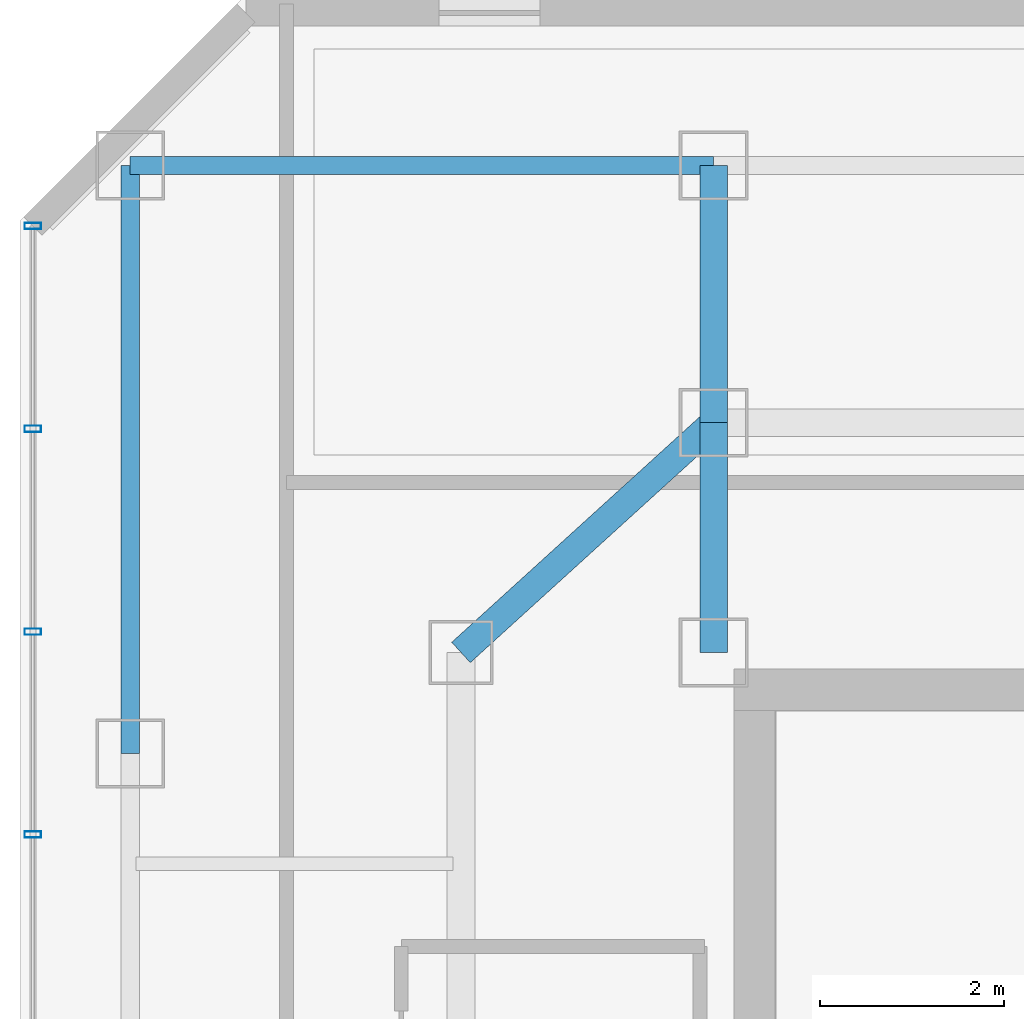
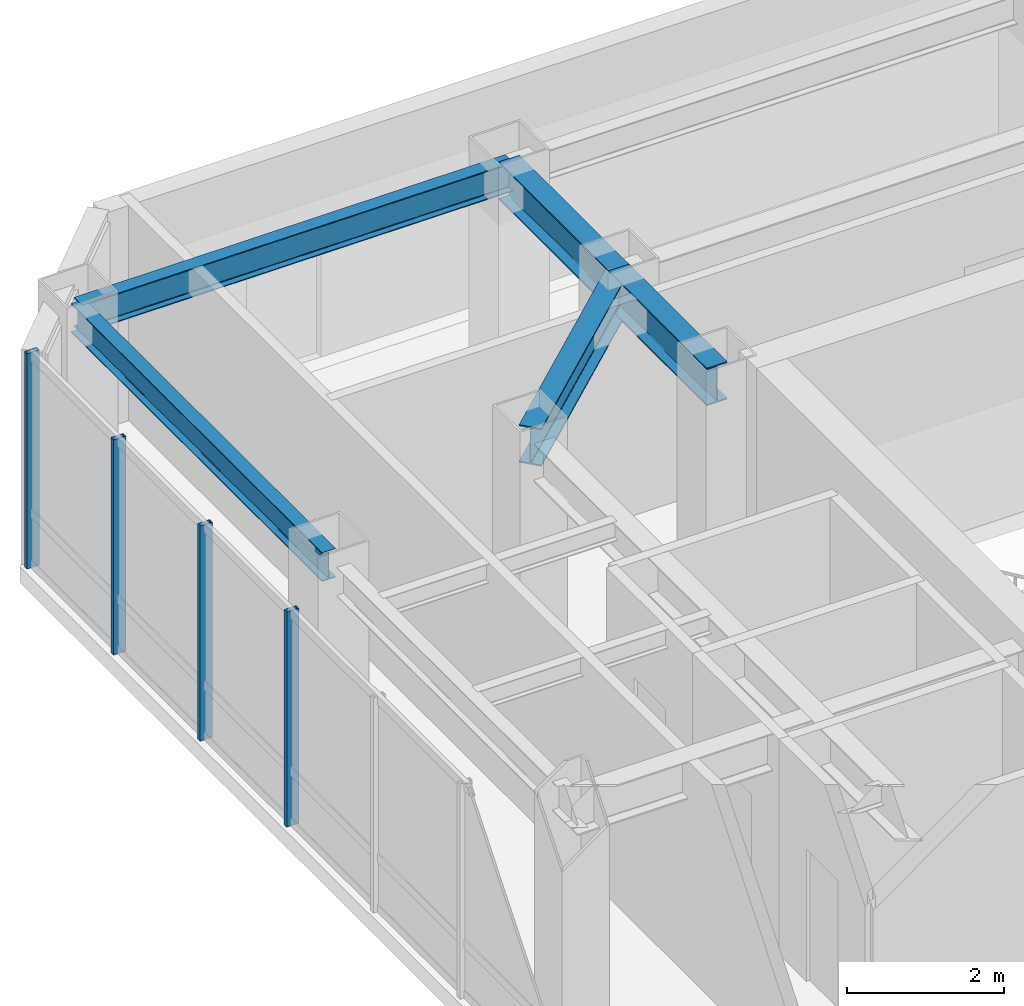
# One storey, part 15 of 25: 5 beams, 4 members, 1 element without a shape of its own.
"""IFC4 building model written with IfcOpenShell, lengths in metres."""

import ifcopenshell
import ifcopenshell.guid

model = None  # the IFC model being written
_history = None  # IfcOwnerHistory: only IFC2X3 demands one
_inside = {}  # id of a spatial element -> (the spatial element, [elements in it])
_under = {}  # id of a project, library or spatial element -> (it, [spatial elements below it])
_declared = {}  # id of a project -> (the project, [libraries it declares])
_typed = {}  # id of a type object -> (the type object, [elements of that type])
_made_of = {}  # id of a material, layer set ... -> (it, [elements and type objects made of it])


def new_model(schema):
    """Start an empty IFC model of exactly this schema.

    Asked for "IFC4X3", IfcOpenShell would pick the latest addendum, in which some entities
    have other attributes; the version numbers below select the first issue.
    IFC2X3 requires an IfcOwnerHistory on every rooted entity: one is made here for all.
    """
    global model, _history
    if schema == "IFC4X3":
        model = ifcopenshell.file(schema_version=(4, 3, 0, 0))
    else:
        model = ifcopenshell.file(schema=schema)
    _inside.clear()
    _under.clear()
    _declared.clear()
    _typed.clear()
    _made_of.clear()
    _history = None
    if model.schema == "IFC2X3":
        org = make("IfcOrganization", Name="unknown")
        user = make(
            "IfcPersonAndOrganization",
            ThePerson=make("IfcPerson", FamilyName="unknown"),
            TheOrganization=org,
        )
        app = make(
            "IfcApplication",
            ApplicationDeveloper=org,
            Version="unknown",
            ApplicationFullName="unknown",
            ApplicationIdentifier="unknown",
        )
        _history = make(
            "IfcOwnerHistory",
            OwningUser=user,
            OwningApplication=app,
            ChangeAction="ADDED",
            CreationDate=0,
        )
    return model


def make(cls, **values):
    """One entity of the class cls with the attributes given. An attribute that is None is left unset."""
    return model.create_entity(
        cls, **{name: value for name, value in values.items() if value is not None}
    )


def rooted(cls, **values):
    """An entity with a GlobalId (a new one), such as an element, a storey or a relation."""
    return make(cls, GlobalId=ifcopenshell.guid.new(), OwnerHistory=_history, **values)


def si_unit(unit_type, name, prefix=None):
    """IfcSIUnit, for example si_unit("LENGTHUNIT", "METRE", prefix="MILLI")."""
    return make("IfcSIUnit", UnitType=unit_type, Prefix=prefix, Name=name)


def assignment(units):
    """IfcUnitAssignment: the units of a project."""
    return None if units is None else make("IfcUnitAssignment", Units=units)


def point(xyz):
    """IfcCartesianPoint."""
    return None if xyz is None else make("IfcCartesianPoint", Coordinates=xyz)


def direction(xyz):
    """IfcDirection."""
    return None if xyz is None else make("IfcDirection", DirectionRatios=xyz)


def frame(location, z_axis=None, x_axis=None):
    """IfcAxis2Placement3D, a coordinate frame: its origin and axes. An axis left out is left unset."""
    return make(
        "IfcAxis2Placement3D",
        Location=point(location),
        Axis=direction(z_axis),
        RefDirection=direction(x_axis),
    )


def frame_2d(location, x_axis=None):
    """IfcAxis2Placement2D, a coordinate frame in the plane: its origin and x axis."""
    return make(
        "IfcAxis2Placement2D", Location=point(location), RefDirection=direction(x_axis)
    )


def origin():
    """The frame at (0, 0, 0) with its axes left unset."""
    return frame((0.0, 0.0, 0.0))


def origin_2d():
    """The frame at (0, 0) in the plane with its x axis left unset."""
    return frame_2d((0.0, 0.0))


def place(relative_to, where):
    """IfcLocalPlacement: puts the frame where relative to a parent placement (None: the world)."""
    return make(
        "IfcLocalPlacement", PlacementRelTo=relative_to, RelativePlacement=where
    )


def context(
    kind, dimensions, precision=None, world=None, true_north=None, identifier=None
):
    """IfcGeometricRepresentationContext, for example the 3D "Model" context."""
    return make(
        "IfcGeometricRepresentationContext",
        ContextIdentifier=identifier,
        ContextType=kind,
        CoordinateSpaceDimension=dimensions,
        Precision=precision,
        WorldCoordinateSystem=world,
        TrueNorth=true_north,
    )


def subcontext(parent, identifier, kind, view, scale=None):
    """IfcGeometricRepresentationSubContext, for example "Body" below "Model"."""
    return make(
        "IfcGeometricRepresentationSubContext",
        ContextIdentifier=identifier,
        ContextType=kind,
        ParentContext=parent,
        TargetScale=scale,
        TargetView=view,
    )


def project(units=None, contexts=None):
    """IfcProject with its units and contexts."""
    return rooted(
        "IfcProject",
        Name="project",
        RepresentationContexts=contexts,
        UnitsInContext=assignment(units),
    )


def spatial(cls, under=None, at=None, **own):
    """A site, building, storey or space (cls), placed at a placement, below another one or the project."""
    s = rooted(cls, ObjectPlacement=at, **own)
    if under is not None:
        _under.setdefault(under.id(), (under, []))[1].append(s)
    return s


def profile(cls, at=None, kind="AREA", **sizes):
    """A parametric profile (cls). Its sizes go by their IFC names, for example OverallWidth=200.0."""
    return make(cls, ProfileType=kind, Position=at, **sizes)


def hollow_rectangle(**sizes):
    """IfcRectangleHollowProfileDef."""
    return profile("IfcRectangleHollowProfileDef", **sizes)


def i_section(**sizes):
    """IfcIShapeProfileDef."""
    return profile("IfcIShapeProfileDef", **sizes)


def extrude(swept, where, along, depth):
    """IfcExtrudedAreaSolid: the profile swept, set in the frame where, extruded along a direction by depth."""
    return make(
        "IfcExtrudedAreaSolid",
        SweptArea=swept,
        Position=where,
        ExtrudedDirection=direction(along),
        Depth=depth,
    )


def shape(context_of_items, identifier, shape_type, items):
    """IfcShapeRepresentation: the items that make up one representation, for example the "Body"."""
    return make(
        "IfcShapeRepresentation",
        ContextOfItems=context_of_items,
        RepresentationIdentifier=identifier,
        RepresentationType=shape_type,
        Items=items,
    )


def material(Name=None, Category=None):
    """IfcMaterial."""
    return make("IfcMaterial", Name=Name, Category=Category)


def layer(
    of_material, thickness, ventilated=None, Name=None, Category=None, Priority=None
):
    """IfcMaterialLayer: one layer of a wall or slab, of a material (None: an air gap)."""
    return make(
        "IfcMaterialLayer",
        Material=of_material,
        LayerThickness=thickness,
        IsVentilated=ventilated,
        Name=Name,
        Category=Category,
        Priority=Priority,
    )


def layer_set(layers, Name=None):
    """IfcMaterialLayerSet."""
    return make("IfcMaterialLayerSet", MaterialLayers=layers, LayerSetName=Name)


def material_profile(
    of_material, cross_section, Name=None, Category=None, Priority=None
):
    """IfcMaterialProfile: a cross section and its material."""
    return make(
        "IfcMaterialProfile",
        Name=Name,
        Material=of_material,
        Profile=cross_section,
        Priority=Priority,
        Category=Category,
    )


def profile_set(profiles, Name=None, composite=None):
    """IfcMaterialProfileSet."""
    return make(
        "IfcMaterialProfileSet",
        Name=Name,
        MaterialProfiles=profiles,
        CompositeProfile=composite,
    )


def made_of(thing, what):
    """Note that an element or type object is made of a material, layer set ...; save() writes the relation."""
    if what is not None:
        _made_of.setdefault(what.id(), (what, []))[1].append(thing)
    return thing


def type_object(cls, material=None, **own):
    """A type object (cls), such as IfcWallType, which elements share."""
    return made_of(rooted(cls, **own), material)


def element(
    cls,
    number,
    at=None,
    inside=None,
    cuts=None,
    type_object=None,
    material=None,
    context=None,
    identifier="Body",
    shape_type=None,
    held_by="IfcProductDefinitionShape",
    body=None,
    shapes=None,
    **own,
):
    """One element of the class cls, such as IfcWall. Its Tag is "e" and its number.

    at: its placement. inside: the storey or other place that contains it. cuts: it is an
    opening in that element (IfcRelVoidsElement). A single representation is given by context,
    identifier, shape_type and body (its items); several are given by shapes. held_by: the class
    of the entity that holds the representations. save() writes the other relations.
    """
    e = rooted(cls, Tag="e%d" % number, ObjectPlacement=at, **own)
    if body is not None:
        shapes = [shape(context, identifier, shape_type, body)]
    if shapes is not None:
        e.Representation = make(held_by, Representations=shapes)
    if inside is not None:
        _inside.setdefault(inside.id(), (inside, []))[1].append(e)
    if cuts is not None:
        rooted(
            "IfcRelVoidsElement", RelatingBuildingElement=cuts, RelatedOpeningElement=e
        )
    if type_object is not None:
        _typed.setdefault(type_object.id(), (type_object, []))[1].append(e)
    return made_of(e, material)


def aggregate(whole, parts):
    """IfcRelAggregates: a whole, such as a stair, and the parts it consists of."""
    return rooted("IfcRelAggregates", RelatingObject=whole, RelatedObjects=parts)


def save(model, path):
    """Write the relations noted so far, then the file.

    IfcRelAggregates (storeys below a building ...), IfcRelContainedInSpatialStructure (elements
    in a storey), IfcRelDefinesByType, IfcRelAssociatesMaterial and IfcRelDeclares: one each for
    every whole, place, type object, material and project.
    """
    for whole, parts in _under.values():
        aggregate(whole, parts)
    for where, things in _inside.values():
        rooted(
            "IfcRelContainedInSpatialStructure",
            RelatedElements=things,
            RelatingStructure=where,
        )
    for kind, things in _typed.values():
        rooted("IfcRelDefinesByType", RelatedObjects=things, RelatingType=kind)
    for what, things in _made_of.values():
        rooted("IfcRelAssociatesMaterial", RelatedObjects=things, RelatingMaterial=what)
    for by, libraries in _declared.values():
        rooted("IfcRelDeclares", RelatingContext=by, RelatedDefinitions=libraries)
    model.write(path)


model = new_model("IFC4")

# Units and contexts
model_context = context("Model", 3, precision=1e-05, world=origin(), true_north=direction((0.0, 1.0)))
body_context = subcontext(model_context, "Body", "Model", "MODEL_VIEW")
ifc_project = project(units=[si_unit("LENGTHUNIT", "METRE"), si_unit("AREAUNIT", "SQUARE_METRE"), si_unit("VOLUMEUNIT", "CUBIC_METRE"), si_unit("PLANEANGLEUNIT", "RADIAN"), si_unit("MASSUNIT", "GRAM", prefix="KILO")], contexts=[model_context])

# Site, building, storey
site_placement = place(None, origin())
site = spatial("IfcSite", under=ifc_project, at=site_placement, CompositionType="ELEMENT")
building_placement = place(site_placement, origin())
building = spatial("IfcBuilding", under=site, at=building_placement, Name="Hatsunagi Terrace Concourse", CompositionType="ELEMENT")
storey_placement = place(building_placement, frame((0.0, 0.0, 205.949951171875)))
storey = spatial("IfcBuildingStorey", under=building, at=storey_placement, Name="L54", CompositionType="ELEMENT", Elevation=205.949951171875)

# Curtain wall, members
ifc_material_1 = material(Name="Anodised Aluminium Alloy 6063-T5", Category="aluminium")
ifc_layer = layer(ifc_material_1, 0.199951171875)
ifc_layer_set = layer_set([ifc_layer], Name="OfficeZone2_CW04")
curtain_wall_type = type_object("IfcCurtainWallType", Name="OfficeZone2_CW04", PredefinedType="NOTDEFINED", material=ifc_layer_set)
curtain_wall_placement = place(storey_placement, origin())
curtain_wall = element("IfcCurtainWall", 1, at=curtain_wall_placement, inside=storey, type_object=curtain_wall_type, Name="Unitised Curtain Wall CW-04 CW-L54-08", PredefinedType="NOTDEFINED")
ifc_material_2 = material(Name="Anodised Aluminium Alloy 6063-T5", Category="aluminium")
ifc_material_profile_1 = material_profile(ifc_material_2, hollow_rectangle(XDim=0.070068359375, YDim=0.179931640625, WallThickness=0.00390625, at=origin_2d()), Name="ALU-MUL-180x70x4")
ifc_profile_set_1 = profile_set([ifc_material_profile_1], Name="Anodised Aluminium Alloy 6063-T5")
member_type = type_object("IfcMemberType", Name="CurtainWallMullion_180x70", PredefinedType="MULLION", material=ifc_profile_set_1)
member_1_placement = place(storey_placement, frame((18.139892578125, 41.31689453125, 0.0), z_axis=(0.0, 0.0, 1.0), x_axis=(0.0, 1.0, 0.0)))
member_1 = element("IfcMember", 2, at=member_1_placement, type_object=member_type, Name="Curtain Wall Mullion MUL-02", PredefinedType="MULLION", context=body_context, shape_type="SweptSolid", body=[
    extrude(hollow_rectangle(XDim=0.070068359375, YDim=0.179931640625, WallThickness=0.00390625, at=origin_2d()), origin(), (0.0, 0.0, 1.0), 3.35009765625),
])
member_2_placement = place(storey_placement, frame((18.139892578125, 43.52490234375, 0.0), z_axis=(0.0, 0.0, 1.0), x_axis=(0.0, 1.0, 0.0)))
member_2 = element("IfcMember", 3, at=member_2_placement, type_object=member_type, Name="Curtain Wall Mullion MUL-02", PredefinedType="MULLION", context=body_context, shape_type="SweptSolid", body=[
    extrude(hollow_rectangle(XDim=0.070068359375, YDim=0.179931640625, WallThickness=0.00390625, at=origin_2d()), origin(), (0.0, 0.0, 1.0), 3.35009765625),
])
member_3_placement = place(storey_placement, frame((18.139892578125, 45.73388671875, 0.0), z_axis=(0.0, 0.0, 1.0), x_axis=(0.0, 1.0, 0.0)))
member_3 = element("IfcMember", 4, at=member_3_placement, type_object=member_type, Name="Curtain Wall Mullion MUL-02", PredefinedType="MULLION", context=body_context, shape_type="SweptSolid", body=[
    extrude(hollow_rectangle(XDim=0.070068359375, YDim=0.179931640625, WallThickness=0.00390625, at=origin_2d()), origin(), (0.0, 0.0, 1.0), 3.35009765625),
])
member_4_placement = place(storey_placement, frame((18.139892578125, 47.94189453125, 0.0), z_axis=(0.0, 0.0, 1.0), x_axis=(0.0, 1.0, 0.0)))
member_4 = element("IfcMember", 5, at=member_4_placement, type_object=member_type, Name="Curtain Wall Mullion MUL-02", PredefinedType="MULLION", context=body_context, shape_type="SweptSolid", body=[
    extrude(hollow_rectangle(XDim=0.070068359375, YDim=0.179931640625, WallThickness=0.00390625, at=origin_2d()), origin(), (0.0, 0.0, 1.0), 3.35009765625),
])
aggregate(curtain_wall, [member_1, member_2, member_3, member_4])

# Beams
ifc_material_3 = material(Name="Steel SN490B", Category="steel")
ifc_material_profile_2 = material_profile(ifc_material_3, i_section(OverallWidth=0.300048828125, OverallDepth=0.587890625, WebThickness=0.011962890625, FlangeThickness=0.02001953125, FilletRadius=0.01806640625, at=origin_2d()), Name="H-588x300x12x20")
ifc_profile_set_2 = profile_set([ifc_material_profile_2], Name="Steel SN490B")
beam_type_1 = type_object("IfcBeamType", Name="OfficeHighGirder_H_588x300", PredefinedType="BEAM", material=ifc_profile_set_2)
beam_1_placement = place(storey_placement, frame((25.550048828125, 43.300048828125, 3.05615234375), z_axis=(0.0, 1.0, 0.0), x_axis=(-1.0, 0.0, 0.0)))
element("IfcBeam", 6, at=beam_1_placement, inside=storey, type_object=beam_type_1, Name="Beam G-06 BM-L54-CN1", PredefinedType="BEAM", context=body_context, shape_type="SweptSolid", body=[
    extrude(i_section(OverallWidth=0.300048828125, OverallDepth=0.587890625, WebThickness=0.011962890625, FlangeThickness=0.02001953125, FilletRadius=0.01806640625, at=origin_2d()), origin(), (0.0, 0.0, 1.0), 2.5),
])
beam_2_placement = place(storey_placement, frame((25.550048828125, 45.800048828125, 3.05615234375), z_axis=(0.0, 1.0, 0.0), x_axis=(-1.0, 0.0, 0.0)))
element("IfcBeam", 7, at=beam_2_placement, inside=storey, type_object=beam_type_1, Name="Beam G-06 BM-L54-KN-WN4", PredefinedType="BEAM", context=body_context, shape_type="SweptSolid", body=[
    extrude(i_section(OverallWidth=0.300048828125, OverallDepth=0.587890625, WebThickness=0.011962890625, FlangeThickness=0.02001953125, FilletRadius=0.01806640625, at=origin_2d()), origin(), (0.0, 0.0, 1.0), 2.800048828125),
])
beam_3_placement = place(storey_placement, frame((22.800048828125, 43.300048828125, 3.05615234375), z_axis=(0.739940073396, 0.672672793996, 0.0), x_axis=(-0.672672793996, 0.739940073396, 0.0)))
element("IfcBeam", 8, at=beam_3_placement, inside=storey, type_object=beam_type_1, Name="Beam G-06 BM-L54-CWEW-N", PredefinedType="BEAM", context=body_context, shape_type="SweptSolid", body=[
    extrude(i_section(OverallWidth=0.300048828125, OverallDepth=0.587890625, WebThickness=0.011962890625, FlangeThickness=0.02001953125, FilletRadius=0.01806640625, at=origin_2d()), origin(), (0.0, 0.0, 1.0), 3.716552734375),
])
ifc_material_4 = material(Name="Steel SN490B", Category="steel")
ifc_material_profile_3 = material_profile(ifc_material_4, i_section(OverallWidth=0.199951171875, OverallDepth=0.449951171875, WebThickness=0.009033203125, FlangeThickness=0.013916015625, FilletRadius=0.01611328125, at=origin_2d()), Name="H-450x200x9x14")
ifc_profile_set_3 = profile_set([ifc_material_profile_3], Name="Steel SN490B")
beam_type_2 = type_object("IfcBeamType", Name="PerimeterSpandrel_H_450x200", PredefinedType="SPANDREL", material=ifc_profile_set_3)
beam_4_placement = place(storey_placement, frame((19.199951171875, 48.60009765625, 3.125), z_axis=(1.0, 0.0, 0.0), x_axis=(0.0, 1.0, 0.0)))
element("IfcBeam", 9, at=beam_4_placement, inside=storey, type_object=beam_type_2, Name="Beam SP-02 BM-L54-WN-19", PredefinedType="SPANDREL", context=body_context, shape_type="SweptSolid", body=[
    extrude(i_section(OverallWidth=0.199951171875, OverallDepth=0.449951171875, WebThickness=0.009033203125, FlangeThickness=0.013916015625, FilletRadius=0.01611328125, at=origin_2d()), origin(), (0.0, 0.0, 1.0), 6.35009765625),
])
beam_5_placement = place(storey_placement, frame((19.199951171875, 42.199951171875, 3.125), z_axis=(0.0, 1.0, 0.0), x_axis=(-1.0, 0.0, 0.0)))
element("IfcBeam", 10, at=beam_5_placement, inside=storey, type_object=beam_type_2, Name="Beam SP-02 BM-L54-NS-19-42", PredefinedType="SPANDREL", context=body_context, shape_type="SweptSolid", body=[
    extrude(i_section(OverallWidth=0.199951171875, OverallDepth=0.449951171875, WebThickness=0.009033203125, FlangeThickness=0.013916015625, FilletRadius=0.01611328125, at=origin_2d()), origin(), (0.0, 0.0, 1.0), 6.400146484375),
])

save(model, "model.ifc")
